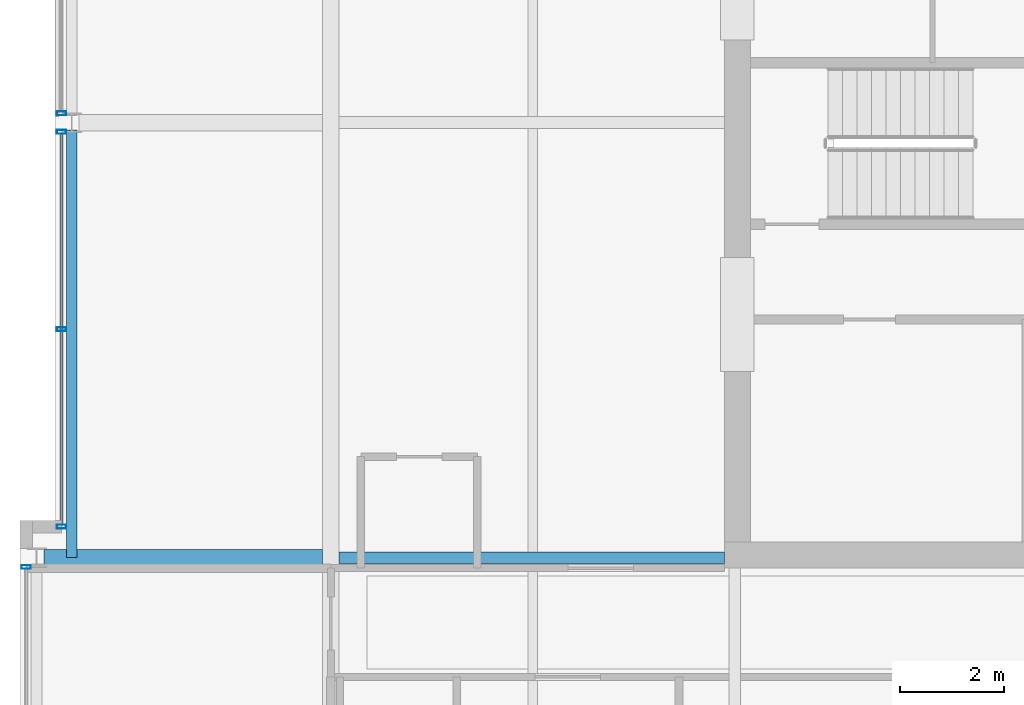
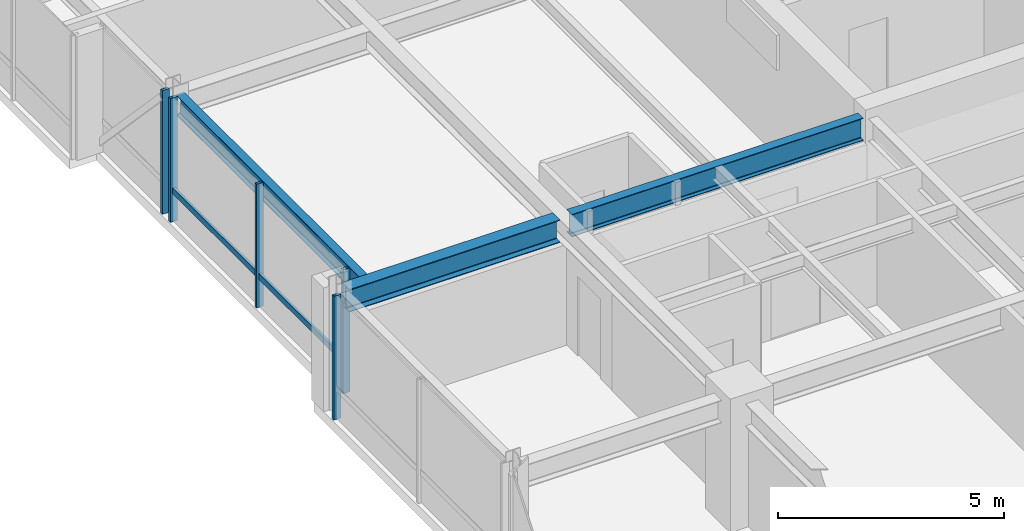
# One storey, part 10 of 32: 6 members, 3 beams, 3 elements without a shape of their own.
"""IFC4 building model written with IfcOpenShell, lengths in metres."""

from ifc_helpers import new_model, si_unit, direction, frame, origin, origin_2d, place, context, subcontext, project, spatial, hollow_rectangle, i_section, extrude, material, layer, layer_set, material_profile, profile_set, type_object, element, aggregate, save


model = new_model("IFC4")

# Units and contexts
model_context = context("Model", 3, precision=1e-05, world=origin(), true_north=direction((0.0, 1.0)))
body_context = subcontext(model_context, "Body", "Model", "MODEL_VIEW")
ifc_project = project(units=[si_unit("LENGTHUNIT", "METRE"), si_unit("AREAUNIT", "SQUARE_METRE"), si_unit("VOLUMEUNIT", "CUBIC_METRE"), si_unit("PLANEANGLEUNIT", "RADIAN"), si_unit("MASSUNIT", "GRAM", prefix="KILO")], contexts=[model_context])

# Site, building, storey
site_placement = place(None, origin())
site = spatial("IfcSite", under=ifc_project, at=site_placement, CompositionType="ELEMENT")
building_placement = place(site_placement, origin())
building = spatial("IfcBuilding", under=site, at=building_placement, Name="Drelvath Grand Hotel", CompositionType="ELEMENT")
storey_placement = place(building_placement, frame((0.0, 0.0, 241.10009765625)))
storey = spatial("IfcBuildingStorey", under=building, at=storey_placement, Name="L63", CompositionType="ELEMENT", Elevation=241.10009765625)

# Curtain wall, member
ifc_material_1 = material(Name="Platinum-Mist Anodised Aluminium Frame", Category="aluminium")
ifc_layer = layer(ifc_material_1, 0.199951171875)
ifc_layer_set = layer_set([ifc_layer], Name="Platinum-Mist Anodised Aluminium Frame")
curtain_wall_type = type_object("IfcCurtainWallType", Name="Stick Curtain Wall CW-05 Platinum Mist High-Rise", PredefinedType="NOTDEFINED", material=ifc_layer_set)
curtain_wall_1_placement = place(storey_placement, origin())
curtain_wall_1 = element("IfcCurtainWall", 1, at=curtain_wall_1_placement, inside=storey, type_object=curtain_wall_type, Name="L63 CW-05 Curtain Wall CW05-L63-WM1", PredefinedType="NOTDEFINED")
ifc_material_profile_1 = material_profile(ifc_material_1, hollow_rectangle(XDim=0.06494140625, YDim=0.159912109375, WallThickness=0.00390625, at=origin_2d()), Name="HSS160X65X4")
ifc_profile_set_1 = profile_set([ifc_material_profile_1], Name="Platinum-Mist Anodised Aluminium Frame")
member_type_1 = type_object("IfcMemberType", Name="Curtain Wall Horizontal Transom CW-05 HSS160X65X4", PredefinedType="USERDEFINED", material=ifc_profile_set_1)
member_1_placement = place(storey_placement, frame((-21.39990234375, 19.239990234375, 0.8349609375), z_axis=(0.0, 1.0, 0.0), x_axis=(-1.0, 0.0, 0.0)))
member_1 = element("IfcMember", 2, at=member_1_placement, type_object=member_type_1, Name="CW05-L63-WM1 Sill Transom", ObjectType="TRANSOM", PredefinedType="USERDEFINED", context=body_context, shape_type="SweptSolid", body=[
    extrude(hollow_rectangle(XDim=0.06494140625, YDim=0.159912109375, WallThickness=0.00390625, at=origin_2d()), origin(), (0.0, 0.0, 1.0), 7.541748046875),
])

curtain_wall_2_placement = place(storey_placement, origin())
curtain_wall_2 = element("IfcCurtainWall", 3, at=curtain_wall_2_placement, inside=storey, type_object=curtain_wall_type, Name="L63 CW-05 Curtain Wall CW05-L63-WS2", PredefinedType="NOTDEFINED")
ifc_material_profile_2 = material_profile(ifc_material_1, hollow_rectangle(XDim=0.074951171875, YDim=0.179931640625, WallThickness=0.0048828125, at=origin_2d()), Name="HSS180X75X5")
ifc_profile_set_2 = profile_set([ifc_material_profile_2], Name="Platinum-Mist Anodised Aluminium Frame")
member_type_2 = type_object("IfcMemberType", Name="Curtain Wall Vertical Mullion CW-05 HSS180X75X5", PredefinedType="MULLION", material=ifc_profile_set_2)
member_2_placement = place(storey_placement, frame((-22.080078125, 18.421875, 0.0), z_axis=(0.0, 0.0, 1.0), x_axis=(0.0, 1.0, 0.0)))
member_2 = element("IfcMember", 4, at=member_2_placement, type_object=member_type_2, Name="CW05-L63-WS2 Mullion 3", PredefinedType="MULLION", context=body_context, shape_type="SweptSolid", body=[
    extrude(hollow_rectangle(XDim=0.074951171875, YDim=0.179931640625, WallThickness=0.0048828125, at=origin_2d()), origin(), (0.0, 0.0, 1.0), 3.33984375),
])
aggregate(curtain_wall_2, [member_2])

# Member
member_3_placement = place(storey_placement, frame((-21.39990234375, 19.199951171875, 0.0), z_axis=(0.0, 0.0, 1.0), x_axis=(0.0, 1.0, 0.0)))
member_3 = element("IfcMember", 5, at=member_3_placement, type_object=member_type_2, Name="CW05-L63-WM1 Mullion 1", PredefinedType="MULLION", context=body_context, shape_type="SweptSolid", body=[
    extrude(hollow_rectangle(XDim=0.074951171875, YDim=0.179931640625, WallThickness=0.0048828125, at=origin_2d()), origin(), (0.0, 0.0, 1.0), 3.33984375),
])

member_4_placement = place(storey_placement, frame((-21.39990234375, 23.010986328125, 0.0), z_axis=(0.0, 0.0, 1.0), x_axis=(0.0, 1.0, 0.0)))
member_4 = element("IfcMember", 6, at=member_4_placement, type_object=member_type_2, Name="CW05-L63-WM1 Mullion 2", PredefinedType="MULLION", context=body_context, shape_type="SweptSolid", body=[
    extrude(hollow_rectangle(XDim=0.074951171875, YDim=0.179931640625, WallThickness=0.0048828125, at=origin_2d()), origin(), (0.0, 0.0, 1.0), 3.33984375),
])

member_5_placement = place(storey_placement, frame((-21.39990234375, 26.82177734375, 0.0), z_axis=(0.0, 0.0, 1.0), x_axis=(0.0, 1.0, 0.0)))
member_5 = element("IfcMember", 7, at=member_5_placement, type_object=member_type_2, Name="CW05-L63-WM1 Mullion 3", PredefinedType="MULLION", context=body_context, shape_type="SweptSolid", body=[
    extrude(hollow_rectangle(XDim=0.074951171875, YDim=0.179931640625, WallThickness=0.0048828125, at=origin_2d()), origin(), (0.0, 0.0, 1.0), 3.33984375),
])

aggregate(curtain_wall_1, [member_3, member_4, member_5, member_1])

# Curtain wall, member
curtain_wall_3_placement = place(storey_placement, origin())
curtain_wall_3 = element("IfcCurtainWall", 8, at=curtain_wall_3_placement, inside=storey, type_object=curtain_wall_type, Name="L63 CW-05 Curtain Wall CW05-L63-WM2", PredefinedType="NOTDEFINED")
member_6_placement = place(storey_placement, frame((-21.39990234375, 27.17822265625, 0.0), z_axis=(0.0, 0.0, 1.0), x_axis=(0.0, 1.0, 0.0)))
member_6 = element("IfcMember", 9, at=member_6_placement, type_object=member_type_2, Name="CW05-L63-WM2 Mullion 1", PredefinedType="MULLION", context=body_context, shape_type="SweptSolid", body=[
    extrude(hollow_rectangle(XDim=0.074951171875, YDim=0.179931640625, WallThickness=0.0048828125, at=origin_2d()), origin(), (0.0, 0.0, 1.0), 3.33984375),
])
aggregate(curtain_wall_3, [member_6])

# Beams
ifc_material_2 = material(Name="Steel ASTM A992 Gr 50", Category="steel")
ifc_material_profile_3 = material_profile(ifc_material_2, i_section(OverallWidth=0.210205078125, OverallDepth=0.53662109375, WebThickness=0.010986328125, FlangeThickness=0.017333984375, FilletRadius=0.01806640625, at=origin_2d()), Name="W21X68")
ifc_profile_set_3 = profile_set([ifc_material_profile_3], Name="Steel ASTM A992 Gr 50")
beam_type_1 = type_object("IfcBeamType", Name="Perimeter Spandrel Beam W21X68", PredefinedType="SPANDREL", material=ifc_profile_set_3)
beam_1_placement = place(storey_placement, frame((-21.199951171875, 18.60009765625, 3.071533203125), z_axis=(0.0, 1.0, 0.0), x_axis=(-1.0, 0.0, 0.0)))
element("IfcBeam", 10, at=beam_1_placement, inside=storey, type_object=beam_type_1, Name="L63 Spandrel West Mid S", PredefinedType="SPANDREL", context=body_context, shape_type="SweptSolid", body=[
    extrude(i_section(OverallWidth=0.210205078125, OverallDepth=0.53662109375, WebThickness=0.010986328125, FlangeThickness=0.017333984375, FilletRadius=0.01806640625, at=origin_2d()), origin(), (0.0, 0.0, 1.0), 8.260009765625),
])
ifc_material_profile_4 = material_profile(ifc_material_2, i_section(OverallWidth=0.323974609375, OverallDepth=0.611083984375, WebThickness=0.0126953125, FlangeThickness=0.01904296875, FilletRadius=0.02197265625, at=origin_2d()), Name="W24X104")
ifc_profile_set_4 = profile_set([ifc_material_profile_4], Name="Steel ASTM A992 Gr 50")
beam_type_2 = type_object("IfcBeamType", Name="Primary Floor Girder W24X104", PredefinedType="BEAM", material=ifc_profile_set_4)
beam_2_placement = place(storey_placement, frame((-21.739990234375, 18.60009765625, 3.034423828125), z_axis=(1.0, 0.0, 0.0), x_axis=(0.0, 1.0, 0.0)))
element("IfcBeam", 11, at=beam_2_placement, inside=storey, type_object=beam_type_2, Name="L63 West Wing Girder D", PredefinedType="BEAM", context=body_context, shape_type="SweptSolid", body=[
    extrude(i_section(OverallWidth=0.323974609375, OverallDepth=0.611083984375, WebThickness=0.0126953125, FlangeThickness=0.01904296875, FilletRadius=0.02197265625, at=origin_2d()), origin(), (0.0, 0.0, 1.0), 5.3779296875),
])
ifc_material_profile_5 = material_profile(ifc_material_2, i_section(OverallWidth=0.228271484375, OverallDepth=0.607666015625, WebThickness=0.01123046875, FlangeThickness=0.017333984375, FilletRadius=0.02001953125, at=origin_2d()), Name="W24X76")
ifc_profile_set_5 = profile_set([ifc_material_profile_5], Name="Steel ASTM A992 Gr 50")
beam_type_3 = type_object("IfcBeamType", Name="Primary Floor Girder W24X76", PredefinedType="BEAM", material=ifc_profile_set_5)
beam_3_placement = place(storey_placement, frame((-16.0380859375, 18.60009765625, 3.0361328125), z_axis=(1.0, 0.0, 0.0), x_axis=(0.0, 1.0, 0.0)))
element("IfcBeam", 12, at=beam_3_placement, inside=storey, type_object=beam_type_3, Name="L63 West Core Tie D", PredefinedType="BEAM", context=body_context, shape_type="SweptSolid", body=[
    extrude(i_section(OverallWidth=0.228271484375, OverallDepth=0.607666015625, WebThickness=0.01123046875, FlangeThickness=0.017333984375, FilletRadius=0.02001953125, at=origin_2d()), origin(), (0.0, 0.0, 1.0), 7.43798828125),
])

save(model, "model.ifc")
